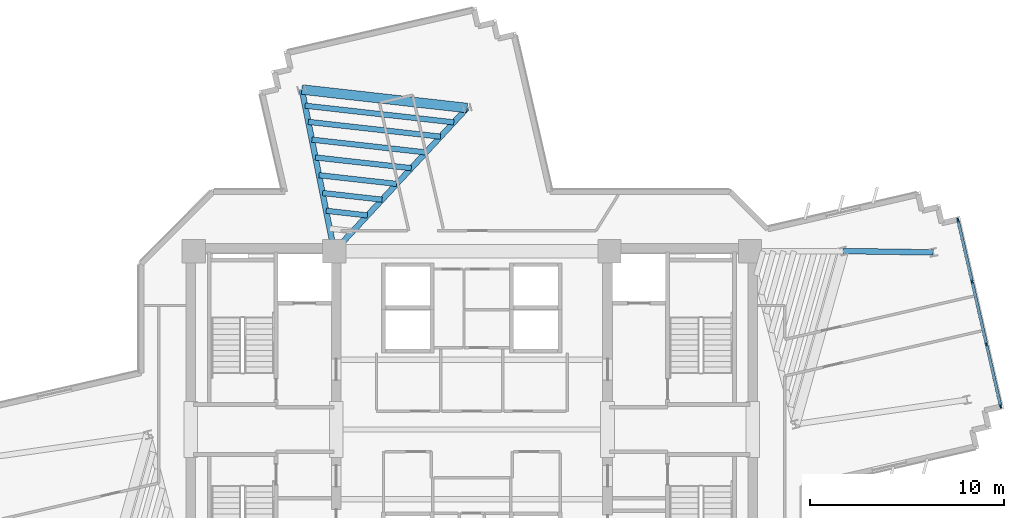
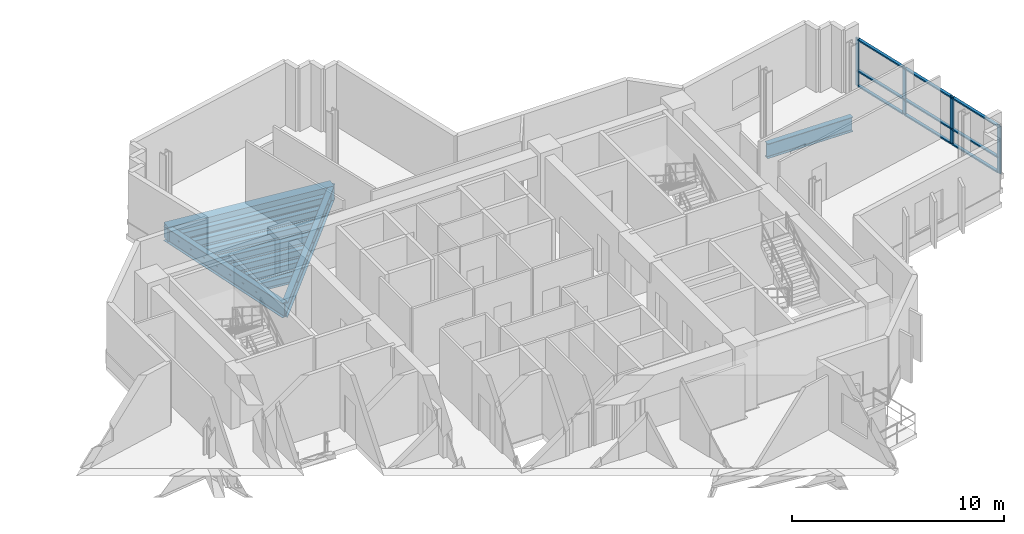
# One storey, part 4 of 13: 13 members, 11 beams, 1 element without a shape of its own.
"""IFC4 building model written with IfcOpenShell, lengths in metres."""

import ifcopenshell
import ifcopenshell.guid

model = None  # the IFC model being written
_history = None  # IfcOwnerHistory: only IFC2X3 demands one
_inside = {}  # id of a spatial element -> (the spatial element, [elements in it])
_under = {}  # id of a project, library or spatial element -> (it, [spatial elements below it])
_declared = {}  # id of a project -> (the project, [libraries it declares])
_typed = {}  # id of a type object -> (the type object, [elements of that type])
_made_of = {}  # id of a material, layer set ... -> (it, [elements and type objects made of it])


def new_model(schema):
    """Start an empty IFC model of exactly this schema.

    Asked for "IFC4X3", IfcOpenShell would pick the latest addendum, in which some entities
    have other attributes; the version numbers below select the first issue.
    IFC2X3 requires an IfcOwnerHistory on every rooted entity: one is made here for all.
    """
    global model, _history
    if schema == "IFC4X3":
        model = ifcopenshell.file(schema_version=(4, 3, 0, 0))
    else:
        model = ifcopenshell.file(schema=schema)
    _inside.clear()
    _under.clear()
    _declared.clear()
    _typed.clear()
    _made_of.clear()
    _history = None
    if model.schema == "IFC2X3":
        org = make("IfcOrganization", Name="unknown")
        user = make(
            "IfcPersonAndOrganization",
            ThePerson=make("IfcPerson", FamilyName="unknown"),
            TheOrganization=org,
        )
        app = make(
            "IfcApplication",
            ApplicationDeveloper=org,
            Version="unknown",
            ApplicationFullName="unknown",
            ApplicationIdentifier="unknown",
        )
        _history = make(
            "IfcOwnerHistory",
            OwningUser=user,
            OwningApplication=app,
            ChangeAction="ADDED",
            CreationDate=0,
        )
    return model


def make(cls, **values):
    """One entity of the class cls with the attributes given. An attribute that is None is left unset."""
    return model.create_entity(
        cls, **{name: value for name, value in values.items() if value is not None}
    )


def rooted(cls, **values):
    """An entity with a GlobalId (a new one), such as an element, a storey or a relation."""
    return make(cls, GlobalId=ifcopenshell.guid.new(), OwnerHistory=_history, **values)


def si_unit(unit_type, name, prefix=None):
    """IfcSIUnit, for example si_unit("LENGTHUNIT", "METRE", prefix="MILLI")."""
    return make("IfcSIUnit", UnitType=unit_type, Prefix=prefix, Name=name)


def assignment(units):
    """IfcUnitAssignment: the units of a project."""
    return None if units is None else make("IfcUnitAssignment", Units=units)


def point(xyz):
    """IfcCartesianPoint."""
    return None if xyz is None else make("IfcCartesianPoint", Coordinates=xyz)


def direction(xyz):
    """IfcDirection."""
    return None if xyz is None else make("IfcDirection", DirectionRatios=xyz)


def frame(location, z_axis=None, x_axis=None):
    """IfcAxis2Placement3D, a coordinate frame: its origin and axes. An axis left out is left unset."""
    return make(
        "IfcAxis2Placement3D",
        Location=point(location),
        Axis=direction(z_axis),
        RefDirection=direction(x_axis),
    )


def frame_2d(location, x_axis=None):
    """IfcAxis2Placement2D, a coordinate frame in the plane: its origin and x axis."""
    return make(
        "IfcAxis2Placement2D", Location=point(location), RefDirection=direction(x_axis)
    )


def origin():
    """The frame at (0, 0, 0) with its axes left unset."""
    return frame((0.0, 0.0, 0.0))


def origin_2d():
    """The frame at (0, 0) in the plane with its x axis left unset."""
    return frame_2d((0.0, 0.0))


def place(relative_to, where):
    """IfcLocalPlacement: puts the frame where relative to a parent placement (None: the world)."""
    return make(
        "IfcLocalPlacement", PlacementRelTo=relative_to, RelativePlacement=where
    )


def context(
    kind, dimensions, precision=None, world=None, true_north=None, identifier=None
):
    """IfcGeometricRepresentationContext, for example the 3D "Model" context."""
    return make(
        "IfcGeometricRepresentationContext",
        ContextIdentifier=identifier,
        ContextType=kind,
        CoordinateSpaceDimension=dimensions,
        Precision=precision,
        WorldCoordinateSystem=world,
        TrueNorth=true_north,
    )


def subcontext(parent, identifier, kind, view, scale=None):
    """IfcGeometricRepresentationSubContext, for example "Body" below "Model"."""
    return make(
        "IfcGeometricRepresentationSubContext",
        ContextIdentifier=identifier,
        ContextType=kind,
        ParentContext=parent,
        TargetScale=scale,
        TargetView=view,
    )


def project(units=None, contexts=None):
    """IfcProject with its units and contexts."""
    return rooted(
        "IfcProject",
        Name="project",
        RepresentationContexts=contexts,
        UnitsInContext=assignment(units),
    )


def spatial(cls, under=None, at=None, **own):
    """A site, building, storey or space (cls), placed at a placement, below another one or the project."""
    s = rooted(cls, ObjectPlacement=at, **own)
    if under is not None:
        _under.setdefault(under.id(), (under, []))[1].append(s)
    return s


def profile(cls, at=None, kind="AREA", **sizes):
    """A parametric profile (cls). Its sizes go by their IFC names, for example OverallWidth=200.0."""
    return make(cls, ProfileType=kind, Position=at, **sizes)


def rectangle(**sizes):
    """IfcRectangleProfileDef."""
    return profile("IfcRectangleProfileDef", **sizes)


def i_section(**sizes):
    """IfcIShapeProfileDef."""
    return profile("IfcIShapeProfileDef", **sizes)


def extrude(swept, where, along, depth):
    """IfcExtrudedAreaSolid: the profile swept, set in the frame where, extruded along a direction by depth."""
    return make(
        "IfcExtrudedAreaSolid",
        SweptArea=swept,
        Position=where,
        ExtrudedDirection=direction(along),
        Depth=depth,
    )


def shape(context_of_items, identifier, shape_type, items):
    """IfcShapeRepresentation: the items that make up one representation, for example the "Body"."""
    return make(
        "IfcShapeRepresentation",
        ContextOfItems=context_of_items,
        RepresentationIdentifier=identifier,
        RepresentationType=shape_type,
        Items=items,
    )


def source(mapping_origin, context_of_items, identifier, shape_type, items):
    """IfcRepresentationMap: a shape defined once, which mapped items show again and again."""
    return make(
        "IfcRepresentationMap",
        MappingOrigin=mapping_origin,
        MappedRepresentation=shape(context_of_items, identifier, shape_type, items),
    )


def transform(
    local_origin,
    x_axis=None,
    y_axis=None,
    z_axis=None,
    scale=None,
    scale2=None,
    scale3=None,
    uniform=True,
):
    """IfcCartesianTransformationOperator3D, or its non-uniform kind. x_axis, y_axis, z_axis: its Axis1, 2, 3."""
    if uniform:
        return make(
            "IfcCartesianTransformationOperator3D",
            Axis1=direction(x_axis),
            Axis2=direction(y_axis),
            LocalOrigin=point(local_origin),
            Scale=scale,
            Axis3=direction(z_axis),
        )
    return make(
        "IfcCartesianTransformationOperator3DnonUniform",
        Axis1=direction(x_axis),
        Axis2=direction(y_axis),
        LocalOrigin=point(local_origin),
        Scale=scale,
        Axis3=direction(z_axis),
        Scale2=scale2,
        Scale3=scale3,
    )


def mapped(mapping_source, mapping_target):
    """IfcMappedItem: shows the shape of a source again, moved by a transform."""
    return make(
        "IfcMappedItem", MappingSource=mapping_source, MappingTarget=mapping_target
    )


def material(Name=None, Category=None):
    """IfcMaterial."""
    return make("IfcMaterial", Name=Name, Category=Category)


def layer(
    of_material, thickness, ventilated=None, Name=None, Category=None, Priority=None
):
    """IfcMaterialLayer: one layer of a wall or slab, of a material (None: an air gap)."""
    return make(
        "IfcMaterialLayer",
        Material=of_material,
        LayerThickness=thickness,
        IsVentilated=ventilated,
        Name=Name,
        Category=Category,
        Priority=Priority,
    )


def layer_set(layers, Name=None):
    """IfcMaterialLayerSet."""
    return make("IfcMaterialLayerSet", MaterialLayers=layers, LayerSetName=Name)


def material_profile(
    of_material, cross_section, Name=None, Category=None, Priority=None
):
    """IfcMaterialProfile: a cross section and its material."""
    return make(
        "IfcMaterialProfile",
        Name=Name,
        Material=of_material,
        Profile=cross_section,
        Priority=Priority,
        Category=Category,
    )


def profile_set(profiles, Name=None, composite=None):
    """IfcMaterialProfileSet."""
    return make(
        "IfcMaterialProfileSet",
        Name=Name,
        MaterialProfiles=profiles,
        CompositeProfile=composite,
    )


def made_of(thing, what):
    """Note that an element or type object is made of a material, layer set ...; save() writes the relation."""
    if what is not None:
        _made_of.setdefault(what.id(), (what, []))[1].append(thing)
    return thing


def type_object(cls, material=None, **own):
    """A type object (cls), such as IfcWallType, which elements share."""
    return made_of(rooted(cls, **own), material)


def element(
    cls,
    number,
    at=None,
    inside=None,
    cuts=None,
    type_object=None,
    material=None,
    context=None,
    identifier="Body",
    shape_type=None,
    held_by="IfcProductDefinitionShape",
    body=None,
    shapes=None,
    **own,
):
    """One element of the class cls, such as IfcWall. Its Tag is "e" and its number.

    at: its placement. inside: the storey or other place that contains it. cuts: it is an
    opening in that element (IfcRelVoidsElement). A single representation is given by context,
    identifier, shape_type and body (its items); several are given by shapes. held_by: the class
    of the entity that holds the representations. save() writes the other relations.
    """
    e = rooted(cls, Tag="e%d" % number, ObjectPlacement=at, **own)
    if body is not None:
        shapes = [shape(context, identifier, shape_type, body)]
    if shapes is not None:
        e.Representation = make(held_by, Representations=shapes)
    if inside is not None:
        _inside.setdefault(inside.id(), (inside, []))[1].append(e)
    if cuts is not None:
        rooted(
            "IfcRelVoidsElement", RelatingBuildingElement=cuts, RelatedOpeningElement=e
        )
    if type_object is not None:
        _typed.setdefault(type_object.id(), (type_object, []))[1].append(e)
    return made_of(e, material)


def aggregate(whole, parts):
    """IfcRelAggregates: a whole, such as a stair, and the parts it consists of."""
    return rooted("IfcRelAggregates", RelatingObject=whole, RelatedObjects=parts)


def save(model, path):
    """Write the relations noted so far, then the file.

    IfcRelAggregates (storeys below a building ...), IfcRelContainedInSpatialStructure (elements
    in a storey), IfcRelDefinesByType, IfcRelAssociatesMaterial and IfcRelDeclares: one each for
    every whole, place, type object, material and project.
    """
    for whole, parts in _under.values():
        aggregate(whole, parts)
    for where, things in _inside.values():
        rooted(
            "IfcRelContainedInSpatialStructure",
            RelatedElements=things,
            RelatingStructure=where,
        )
    for kind, things in _typed.values():
        rooted("IfcRelDefinesByType", RelatedObjects=things, RelatingType=kind)
    for what, things in _made_of.values():
        rooted("IfcRelAssociatesMaterial", RelatedObjects=things, RelatingMaterial=what)
    for by, libraries in _declared.values():
        rooted("IfcRelDeclares", RelatingContext=by, RelatedDefinitions=libraries)
    model.write(path)


model = new_model("IFC4")

# Units and contexts
model_context = context("Model", 3, precision=1e-05, world=origin(), true_north=direction((0.0, 1.0)))
body_context = subcontext(model_context, "Body", "Model", "MODEL_VIEW")
ifc_project = project(units=[si_unit("LENGTHUNIT", "METRE"), si_unit("AREAUNIT", "SQUARE_METRE"), si_unit("VOLUMEUNIT", "CUBIC_METRE"), si_unit("PLANEANGLEUNIT", "RADIAN"), si_unit("MASSUNIT", "GRAM", prefix="KILO")], contexts=[model_context])

# Site, building, storey
site_placement = place(None, origin())
site = spatial("IfcSite", under=ifc_project, at=site_placement, CompositionType="ELEMENT")
building_placement = place(site_placement, origin())
building = spatial("IfcBuilding", under=site, at=building_placement, Name="Zahravan Cultural Tower", CompositionType="ELEMENT")
storey_placement = place(building_placement, frame((0.0, 0.0, 170.699951171875)))
storey = spatial("IfcBuildingStorey", under=building, at=storey_placement, Name="L39", CompositionType="ELEMENT", Elevation=170.699951171875)

# Beams
ifc_material_1 = material(Name="Concrete C50/60", Category="concrete")
ifc_material_profile_1 = material_profile(ifc_material_1, rectangle(XDim=0.5, YDim=0.85009765625, at=origin_2d()), Name="RC500X850")
ifc_profile_set_1 = profile_set([ifc_material_profile_1], Name="Concrete C50/60")
beam_type_1 = type_object("IfcBeamType", Name="BM-SP-RC500X850", PredefinedType="SPANDREL", material=ifc_profile_set_1)
shared_shape_1 = source(origin(), body_context, "Body", "SweptSolid", [
    extrude(rectangle(XDim=0.5, YDim=0.85009765625, at=origin_2d()), origin(), (0.0, 0.0, 1.0), 8.579833984375),
])
beam_1_placement = place(storey_placement, frame((35.754638671875, 43.587646484375, -0.704833984375), z_axis=(-0.9938040105, 0.11114669907, 0.0), x_axis=(-0.11114669907, -0.9938040105, 0.0)))
element("IfcBeam", 1, at=beam_1_placement, inside=storey, type_object=beam_type_1, Name="L39 Beam SP-L39-22", PredefinedType="SPANDREL", context=body_context, shape_type="MappedRepresentation", body=[
    mapped(shared_shape_1, transform((0.0, 0.0, 0.0), x_axis=(1.0, 0.0, 0.0), y_axis=(0.0, 1.0, 0.0), z_axis=(0.0, 0.0, 1.0), scale=1.0)),
])
ifc_material_2 = material(Name="Steel ASTM A992 Grade 50", Category="steel")
ifc_material_profile_2 = material_profile(ifc_material_2, i_section(OverallWidth=0.29296875, OverallDepth=0.845947265625, WebThickness=0.015380859375, FlangeThickness=0.0244140625, FilletRadius=0.02001953125, at=origin_2d()), Name="W33X141")
ifc_profile_set_2 = profile_set([ifc_material_profile_2], Name="Steel ASTM A992 Grade 50")
beam_type_2 = type_object("IfcBeamType", Name="BM-G-W33X141", PredefinedType="BEAM", material=ifc_profile_set_2)
shared_shape_2 = source(origin(), body_context, "Body", "SweptSolid", [
    extrude(i_section(OverallWidth=0.29296875, OverallDepth=0.845947265625, WebThickness=0.015380859375, FlangeThickness=0.0244140625, FilletRadius=0.02001953125, at=origin_2d()), origin(), (0.0, 0.0, 1.0), 10.077880859375),
])
beam_2_placement = place(storey_placement, frame((28.89990234375, 36.199951171875, -0.702880859375), z_axis=(0.680170435587, 0.733054007938, 0.0), x_axis=(-0.733054007938, 0.680170435587, 0.0)))
element("IfcBeam", 2, at=beam_2_placement, inside=storey, type_object=beam_type_2, Name="L39 Beam BG-L39-13", PredefinedType="BEAM", context=body_context, shape_type="MappedRepresentation", body=[
    mapped(shared_shape_2, transform((0.0, 0.0, 0.0), x_axis=(1.0, 0.0, 0.0), y_axis=(0.0, 1.0, 0.0), z_axis=(0.0, 0.0, 1.0), scale=1.0)),
])
shared_shape_3 = source(origin(), body_context, "Body", "SweptSolid", [
    extrude(i_section(OverallWidth=0.29296875, OverallDepth=0.845947265625, WebThickness=0.015380859375, FlangeThickness=0.0244140625, FilletRadius=0.02001953125, at=origin_2d()), origin(), (0.0, 0.0, 1.0), 8.50732421875),
])
beam_3_placement = place(storey_placement, frame((28.89990234375, 36.199951171875, -0.702880859375), z_axis=(-0.196524514012, 0.980498911469, 0.0), x_axis=(-0.980498911469, -0.196524514012, 0.0)))
element("IfcBeam", 3, at=beam_3_placement, inside=storey, type_object=beam_type_2, Name="L39 Beam BG-L39-14", PredefinedType="BEAM", context=body_context, shape_type="MappedRepresentation", body=[
    mapped(shared_shape_3, transform((0.0, 0.0, 0.0), x_axis=(1.0, 0.0, 0.0), y_axis=(0.0, 1.0, 0.0), z_axis=(0.0, 0.0, 1.0), scale=1.0)),
])
shared_shape_4 = source(origin(), body_context, "Body", "SweptSolid", [
    extrude(i_section(OverallWidth=0.29296875, OverallDepth=0.845947265625, WebThickness=0.015380859375, FlangeThickness=0.0244140625, FilletRadius=0.02001953125, at=origin_2d()), origin(), (0.0, 0.0, 1.0), 4.622314453125),
])
beam_4_placement = place(storey_placement, frame((55.184814453125, 36.2060546875, -0.702880859375), z_axis=(0.999889070044, -0.014894549562, 0.0), x_axis=(0.014894549562, 0.999889070044, 0.0)))
element("IfcBeam", 4, at=beam_4_placement, inside=storey, type_object=beam_type_2, Name="L39 Beam BG-L39-16", PredefinedType="BEAM", context=body_context, shape_type="MappedRepresentation", body=[
    mapped(shared_shape_4, transform((0.0, 0.0, 0.0), x_axis=(1.0, 0.0, 0.0), y_axis=(0.0, 1.0, 0.0), z_axis=(0.0, 0.0, 1.0), scale=1.0)),
])
ifc_material_profile_3 = material_profile(ifc_material_2, i_section(OverallWidth=0.280029296875, OverallDepth=0.462890625, WebThickness=0.0107421875, FlangeThickness=0.017333984375, FilletRadius=0.012939453125, at=origin_2d()), Name="W18X76")
ifc_profile_set_3 = profile_set([ifc_material_profile_3], Name="Steel ASTM A992 Grade 50")
beam_type_3 = type_object("IfcBeamType", Name="BM-J-W18X76", PredefinedType="JOIST", material=ifc_profile_set_3)
shared_shape_5 = source(origin(), body_context, "Body", "SweptSolid", [
    extrude(i_section(OverallWidth=0.280029296875, OverallDepth=0.462890625, WebThickness=0.0107421875, FlangeThickness=0.017333984375, FilletRadius=0.012939453125, at=origin_2d()), origin(), (0.0, 0.0, 1.0), 2.144775390625),
])
beam_5_placement = place(storey_placement, frame((30.613525390625, 38.046875, -0.511474609375), z_axis=(-0.993797370806, 0.111206051, 0.0), x_axis=(-0.111206051, -0.993797370806, 0.0)))
element("IfcBeam", 5, at=beam_5_placement, inside=storey, type_object=beam_type_3, Name="L39 Beam BJ-L39-51", PredefinedType="JOIST", context=body_context, shape_type="MappedRepresentation", body=[
    mapped(shared_shape_5, transform((0.0, 0.0, 0.0), x_axis=(1.0, 0.0, 0.0), y_axis=(0.0, 1.0, 0.0), z_axis=(0.0, 0.0, 1.0), scale=1.0)),
])
shared_shape_6 = source(origin(), body_context, "Body", "SweptSolid", [
    extrude(i_section(OverallWidth=0.280029296875, OverallDepth=0.462890625, WebThickness=0.0107421875, FlangeThickness=0.017333984375, FilletRadius=0.012939453125, at=origin_2d()), origin(), (0.0, 0.0, 1.0), 3.088623046875),
])
beam_6_placement = place(storey_placement, frame((31.36767578125, 38.859619140625, -0.511474609375), z_axis=(-0.993805407368, 0.111134208443, 0.0), x_axis=(-0.111134208443, -0.993805407368, 0.0)))
element("IfcBeam", 6, at=beam_6_placement, inside=storey, type_object=beam_type_3, Name="L39 Beam BJ-L39-52", PredefinedType="JOIST", context=body_context, shape_type="MappedRepresentation", body=[
    mapped(shared_shape_6, transform((0.0, 0.0, 0.0), x_axis=(1.0, 0.0, 0.0), y_axis=(0.0, 1.0, 0.0), z_axis=(0.0, 0.0, 1.0), scale=1.0)),
])
shared_shape_7 = source(origin(), body_context, "Body", "SweptSolid", [
    extrude(i_section(OverallWidth=0.280029296875, OverallDepth=0.462890625, WebThickness=0.0107421875, FlangeThickness=0.017333984375, FilletRadius=0.012939453125, at=origin_2d()), origin(), (0.0, 0.0, 1.0), 4.0322265625),
])
beam_7_placement = place(storey_placement, frame((32.12158203125, 39.672119140625, -0.511474609375), z_axis=(-0.993802245601, 0.11116247855, 0.0), x_axis=(-0.11116247855, -0.993802245601, 0.0)))
element("IfcBeam", 7, at=beam_7_placement, inside=storey, type_object=beam_type_3, Name="L39 Beam BJ-L39-53", PredefinedType="JOIST", context=body_context, shape_type="MappedRepresentation", body=[
    mapped(shared_shape_7, transform((0.0, 0.0, 0.0), x_axis=(1.0, 0.0, 0.0), y_axis=(0.0, 1.0, 0.0), z_axis=(0.0, 0.0, 1.0), scale=1.0)),
])
shared_shape_8 = source(origin(), body_context, "Body", "SweptSolid", [
    extrude(i_section(OverallWidth=0.280029296875, OverallDepth=0.462890625, WebThickness=0.0107421875, FlangeThickness=0.017333984375, FilletRadius=0.012939453125, at=origin_2d()), origin(), (0.0, 0.0, 1.0), 4.97607421875),
])
beam_8_placement = place(storey_placement, frame((32.875732421875, 40.48486328125, -0.511474609375), z_axis=(-0.993806308517, 0.111126149723, 0.0), x_axis=(-0.111126149723, -0.993806308517, 0.0)))
element("IfcBeam", 8, at=beam_8_placement, inside=storey, type_object=beam_type_3, Name="L39 Beam BJ-L39-54", PredefinedType="JOIST", context=body_context, shape_type="MappedRepresentation", body=[
    mapped(shared_shape_8, transform((0.0, 0.0, 0.0), x_axis=(1.0, 0.0, 0.0), y_axis=(0.0, 1.0, 0.0), z_axis=(0.0, 0.0, 1.0), scale=1.0)),
])
shared_shape_9 = source(origin(), body_context, "Body", "SweptSolid", [
    extrude(i_section(OverallWidth=0.280029296875, OverallDepth=0.462890625, WebThickness=0.0107421875, FlangeThickness=0.017333984375, FilletRadius=0.012939453125, at=origin_2d()), origin(), (0.0, 0.0, 1.0), 5.919921875),
])
beam_9_placement = place(storey_placement, frame((33.629638671875, 41.29736328125, -0.511474609375), z_axis=(-0.993804520866, 0.111142135602, 0.0), x_axis=(-0.111142135602, -0.993804520866, 0.0)))
element("IfcBeam", 9, at=beam_9_placement, inside=storey, type_object=beam_type_3, Name="L39 Beam BJ-L39-55", PredefinedType="JOIST", context=body_context, shape_type="MappedRepresentation", body=[
    mapped(shared_shape_9, transform((0.0, 0.0, 0.0), x_axis=(1.0, 0.0, 0.0), y_axis=(0.0, 1.0, 0.0), z_axis=(0.0, 0.0, 1.0), scale=1.0)),
])
shared_shape_10 = source(origin(), body_context, "Body", "SweptSolid", [
    extrude(i_section(OverallWidth=0.280029296875, OverallDepth=0.462890625, WebThickness=0.0107421875, FlangeThickness=0.017333984375, FilletRadius=0.012939453125, at=origin_2d()), origin(), (0.0, 0.0, 1.0), 6.86376953125),
])
beam_10_placement = place(storey_placement, frame((34.3837890625, 42.110107421875, -0.511474609375), z_axis=(-0.993803224695, 0.111153725024, 0.0), x_axis=(-0.111153725024, -0.993803224695, 0.0)))
element("IfcBeam", 10, at=beam_10_placement, inside=storey, type_object=beam_type_3, Name="L39 Beam BJ-L39-56", PredefinedType="JOIST", context=body_context, shape_type="MappedRepresentation", body=[
    mapped(shared_shape_10, transform((0.0, 0.0, 0.0), x_axis=(1.0, 0.0, 0.0), y_axis=(0.0, 1.0, 0.0), z_axis=(0.0, 0.0, 1.0), scale=1.0)),
])
shared_shape_11 = source(origin(), body_context, "Body", "SweptSolid", [
    extrude(i_section(OverallWidth=0.280029296875, OverallDepth=0.462890625, WebThickness=0.0107421875, FlangeThickness=0.017333984375, FilletRadius=0.012939453125, at=origin_2d()), origin(), (0.0, 0.0, 1.0), 7.7216796875),
])
beam_11_placement = place(storey_placement, frame((35.069091796875, 42.848876953125, -0.511474609375), z_axis=(-0.993805212115, 0.11113595446, 0.0), x_axis=(-0.11113595446, -0.993805212115, 0.0)))
element("IfcBeam", 11, at=beam_11_placement, inside=storey, type_object=beam_type_3, Name="L39 Beam BJ-L39-57", PredefinedType="JOIST", context=body_context, shape_type="MappedRepresentation", body=[
    mapped(shared_shape_11, transform((0.0, 0.0, 0.0), x_axis=(1.0, 0.0, 0.0), y_axis=(0.0, 1.0, 0.0), z_axis=(0.0, 0.0, 1.0), scale=1.0)),
])

# Curtain wall, members
ifc_material_3 = material(Name="Anodised bronze-aluminium mullion", Category="aluminium")
ifc_layer = layer(ifc_material_3, 0.219970703125)
ifc_layer_set = layer_set([ifc_layer], Name="Anodised bronze-aluminium mullion")
curtain_wall_type = type_object("IfcCurtainWallType", Name="CW-SYS-1", PredefinedType="USERDEFINED", material=ifc_layer_set)
curtain_wall_placement = place(storey_placement, origin())
curtain_wall = element("IfcCurtainWall", 12, at=curtain_wall_placement, inside=storey, type_object=curtain_wall_type, Name="L39 Recessed Curtain Wall CW-1.1", ObjectType="RECESSED GLAZING", PredefinedType="USERDEFINED")
ifc_material_profile_4 = material_profile(ifc_material_3, rectangle(XDim=0.159912109375, YDim=0.080078125, at=origin_2d()), Name="AL-T80X160")
ifc_profile_set_4 = profile_set([ifc_material_profile_4], Name="Anodised bronze-aluminium mullion")
member_type_1 = type_object("IfcMemberType", Name="CWT-CW-1", PredefinedType="USERDEFINED", material=ifc_profile_set_4)
shared_shape_12 = source(origin(), body_context, "Body", "SweptSolid", [
    extrude(rectangle(XDim=0.159912109375, YDim=0.080078125, at=origin_2d()), origin(), (0.0, 0.0, 1.0), 3.226806640625),
])
member_1_placement = place(storey_placement, frame((61.819091796875, 34.578125, 0.0400390625), z_axis=(0.223654705473, -0.974668442456, 0.0), x_axis=(0.974668442456, 0.223654705473, 0.0)))
member_1 = element("IfcMember", 13, at=member_1_placement, type_object=member_type_1, Name="CW-1 transom 2.1", ObjectType="TRANSOM", PredefinedType="USERDEFINED", context=body_context, shape_type="MappedRepresentation", body=[
    mapped(shared_shape_12, transform((0.0, 0.0, 0.0), x_axis=(1.0, 0.0, 0.0), y_axis=(0.0, 1.0, 0.0), z_axis=(0.0, 0.0, 1.0), scale=1.0)),
])
member_2_placement = place(storey_placement, frame((61.819091796875, 34.578125, 0.900146484375), z_axis=(0.223654705473, -0.974668442456, 0.0), x_axis=(0.974668442456, 0.223654705473, 0.0)))
member_2 = element("IfcMember", 14, at=member_2_placement, type_object=member_type_1, Name="CW-1 transom 2.2", ObjectType="TRANSOM", PredefinedType="USERDEFINED", context=body_context, shape_type="MappedRepresentation", body=[
    mapped(shared_shape_12, transform((0.0, 0.0, 0.0), x_axis=(1.0, 0.0, 0.0), y_axis=(0.0, 1.0, 0.0), z_axis=(0.0, 0.0, 1.0), scale=1.0)),
])
member_3_placement = place(storey_placement, frame((61.819091796875, 34.578125, 2.699951171875), z_axis=(0.223654705473, -0.974668442456, 0.0), x_axis=(0.974668442456, 0.223654705473, 0.0)))
member_3 = element("IfcMember", 15, at=member_3_placement, type_object=member_type_1, Name="CW-1 transom 2.3", ObjectType="TRANSOM", PredefinedType="USERDEFINED", context=body_context, shape_type="MappedRepresentation", body=[
    mapped(shared_shape_12, transform((0.0, 0.0, 0.0), x_axis=(1.0, 0.0, 0.0), y_axis=(0.0, 1.0, 0.0), z_axis=(0.0, 0.0, 1.0), scale=1.0)),
])
shared_shape_13 = source(origin(), body_context, "Body", "SweptSolid", [
    extrude(rectangle(XDim=0.159912109375, YDim=0.080078125, at=origin_2d()), origin(), (0.0, 0.0, 1.0), 3.1865234375),
])
member_4_placement = place(storey_placement, frame((61.0888671875, 37.761962890625, 0.0400390625), z_axis=(0.22356116452, -0.974689902337, 0.0), x_axis=(0.974689902337, 0.22356116452, 0.0)))
member_4 = element("IfcMember", 16, at=member_4_placement, type_object=member_type_1, Name="CW-1 transom 1.1", ObjectType="TRANSOM", PredefinedType="USERDEFINED", context=body_context, shape_type="MappedRepresentation", body=[
    mapped(shared_shape_13, transform((0.0, 0.0, 0.0), x_axis=(1.0, 0.0, 0.0), y_axis=(0.0, 1.0, 0.0), z_axis=(0.0, 0.0, 1.0), scale=1.0)),
])
member_5_placement = place(storey_placement, frame((61.0888671875, 37.761962890625, 0.900146484375), z_axis=(0.22356116452, -0.974689902337, 0.0), x_axis=(0.974689902337, 0.22356116452, 0.0)))
member_5 = element("IfcMember", 17, at=member_5_placement, type_object=member_type_1, Name="CW-1 transom 1.2", ObjectType="TRANSOM", PredefinedType="USERDEFINED", context=body_context, shape_type="MappedRepresentation", body=[
    mapped(shared_shape_13, transform((0.0, 0.0, 0.0), x_axis=(1.0, 0.0, 0.0), y_axis=(0.0, 1.0, 0.0), z_axis=(0.0, 0.0, 1.0), scale=1.0)),
])
member_6_placement = place(storey_placement, frame((61.0888671875, 37.761962890625, 2.699951171875), z_axis=(0.22356116452, -0.974689902337, 0.0), x_axis=(0.974689902337, 0.22356116452, 0.0)))
member_6 = element("IfcMember", 18, at=member_6_placement, type_object=member_type_1, Name="CW-1 transom 1.3", ObjectType="TRANSOM", PredefinedType="USERDEFINED", context=body_context, shape_type="MappedRepresentation", body=[
    mapped(shared_shape_13, transform((0.0, 0.0, 0.0), x_axis=(1.0, 0.0, 0.0), y_axis=(0.0, 1.0, 0.0), z_axis=(0.0, 0.0, 1.0), scale=1.0)),
])
member_7_placement = place(storey_placement, frame((62.55859375, 31.355224609375, 0.0400390625), z_axis=(0.22356116452, -0.974689902337, 0.0), x_axis=(0.974689902337, 0.22356116452, 0.0)))
member_7 = element("IfcMember", 19, at=member_7_placement, type_object=member_type_1, Name="CW-1 transom 3.1", ObjectType="TRANSOM", PredefinedType="USERDEFINED", context=body_context, shape_type="MappedRepresentation", body=[
    mapped(shared_shape_13, transform((0.0, 0.0, 0.0), x_axis=(1.0, 0.0, 0.0), y_axis=(0.0, 1.0, 0.0), z_axis=(0.0, 0.0, 1.0), scale=1.0)),
])
member_8_placement = place(storey_placement, frame((62.55859375, 31.355224609375, 0.900146484375), z_axis=(0.22356116452, -0.974689902337, 0.0), x_axis=(0.974689902337, 0.22356116452, 0.0)))
member_8 = element("IfcMember", 20, at=member_8_placement, type_object=member_type_1, Name="CW-1 transom 3.2", ObjectType="TRANSOM", PredefinedType="USERDEFINED", context=body_context, shape_type="MappedRepresentation", body=[
    mapped(shared_shape_13, transform((0.0, 0.0, 0.0), x_axis=(1.0, 0.0, 0.0), y_axis=(0.0, 1.0, 0.0), z_axis=(0.0, 0.0, 1.0), scale=1.0)),
])
member_9_placement = place(storey_placement, frame((62.55859375, 31.355224609375, 2.699951171875), z_axis=(0.22356116452, -0.974689902337, 0.0), x_axis=(0.974689902337, 0.22356116452, 0.0)))
member_9 = element("IfcMember", 21, at=member_9_placement, type_object=member_type_1, Name="CW-1 transom 3.3", ObjectType="TRANSOM", PredefinedType="USERDEFINED", context=body_context, shape_type="MappedRepresentation", body=[
    mapped(shared_shape_13, transform((0.0, 0.0, 0.0), x_axis=(1.0, 0.0, 0.0), y_axis=(0.0, 1.0, 0.0), z_axis=(0.0, 0.0, 1.0), scale=1.0)),
])
ifc_material_profile_5 = material_profile(ifc_material_3, rectangle(XDim=0.080078125, YDim=0.219970703125, at=origin_2d()), Name="AL-M80X220")
ifc_profile_set_5 = profile_set([ifc_material_profile_5], Name="Anodised bronze-aluminium mullion")
member_type_2 = type_object("IfcMemberType", Name="CWM-CW-1", PredefinedType="MULLION", material=ifc_profile_set_5)
shared_shape_14 = source(origin(), body_context, "Body", "SweptSolid", [
    extrude(rectangle(XDim=0.080078125, YDim=0.219970703125, at=origin_2d()), origin(), (0.0, 0.0, 1.0), 2.739990234375),
])
member_10_placement = place(storey_placement, frame((61.079833984375, 37.801025390625, 0.0), z_axis=(0.0, 0.0, 1.0), x_axis=(0.974681078884, 0.223599629842, 0.0)))
member_10 = element("IfcMember", 22, at=member_10_placement, type_object=member_type_2, Name="CW-1 mullion 1", PredefinedType="MULLION", context=body_context, shape_type="MappedRepresentation", body=[
    mapped(shared_shape_14, transform((0.0, 0.0, 0.0), x_axis=(1.0, 0.0, 0.0), y_axis=(0.0, 1.0, 0.0), z_axis=(0.0, 0.0, 1.0), scale=1.0)),
])
member_11_placement = place(storey_placement, frame((61.810302734375, 34.6171875, 0.0), z_axis=(0.0, 0.0, 1.0), x_axis=(0.974681078884, 0.223599629842, 0.0)))
member_11 = element("IfcMember", 23, at=member_11_placement, type_object=member_type_2, Name="CW-1 mullion 2", PredefinedType="MULLION", context=body_context, shape_type="MappedRepresentation", body=[
    mapped(shared_shape_14, transform((0.0, 0.0, 0.0), x_axis=(1.0, 0.0, 0.0), y_axis=(0.0, 1.0, 0.0), z_axis=(0.0, 0.0, 1.0), scale=1.0)),
])
member_12_placement = place(storey_placement, frame((62.549560546875, 31.39404296875, 0.0), z_axis=(0.0, 0.0, 1.0), x_axis=(0.974681078884, 0.223599629842, 0.0)))
member_12 = element("IfcMember", 24, at=member_12_placement, type_object=member_type_2, Name="CW-1 mullion 3", PredefinedType="MULLION", context=body_context, shape_type="MappedRepresentation", body=[
    mapped(shared_shape_14, transform((0.0, 0.0, 0.0), x_axis=(1.0, 0.0, 0.0), y_axis=(0.0, 1.0, 0.0), z_axis=(0.0, 0.0, 1.0), scale=1.0)),
])
member_13_placement = place(storey_placement, frame((63.280029296875, 28.210205078125, 0.0), z_axis=(0.0, 0.0, 1.0), x_axis=(0.974681078884, 0.223599629842, 0.0)))
member_13 = element("IfcMember", 25, at=member_13_placement, type_object=member_type_2, Name="CW-1 mullion 4", PredefinedType="MULLION", context=body_context, shape_type="MappedRepresentation", body=[
    mapped(shared_shape_14, transform((0.0, 0.0, 0.0), x_axis=(1.0, 0.0, 0.0), y_axis=(0.0, 1.0, 0.0), z_axis=(0.0, 0.0, 1.0), scale=1.0)),
])
aggregate(curtain_wall, [member_10, member_11, member_12, member_13, member_4, member_5, member_6, member_1, member_2, member_3, member_7, member_8, member_9])

save(model, "model.ifc")
